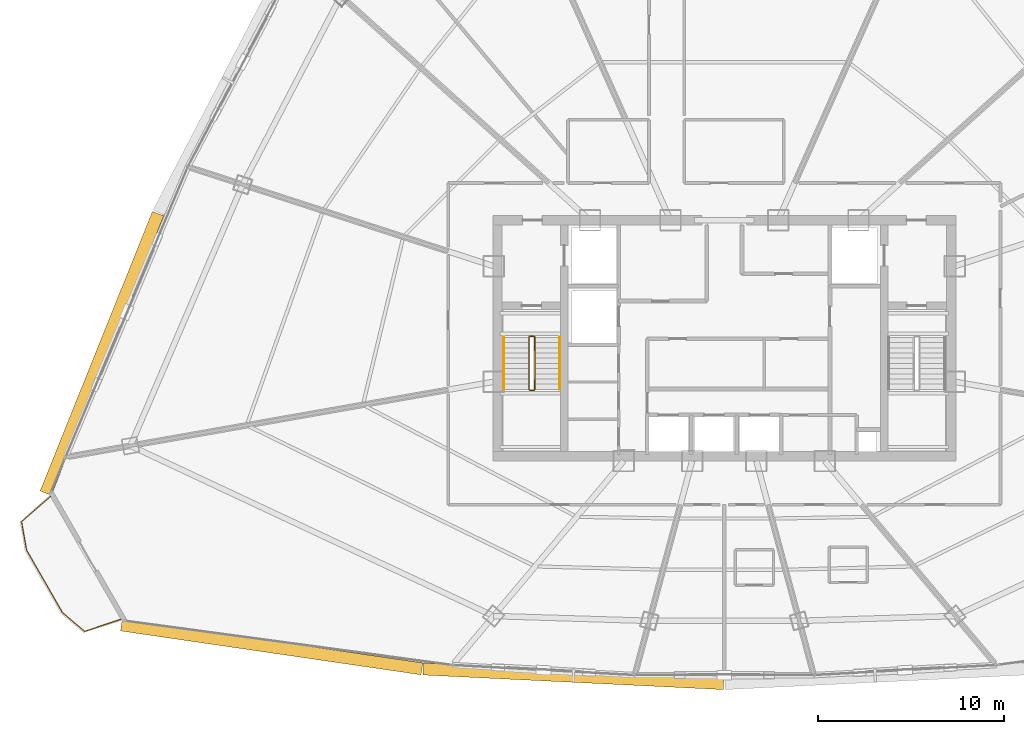
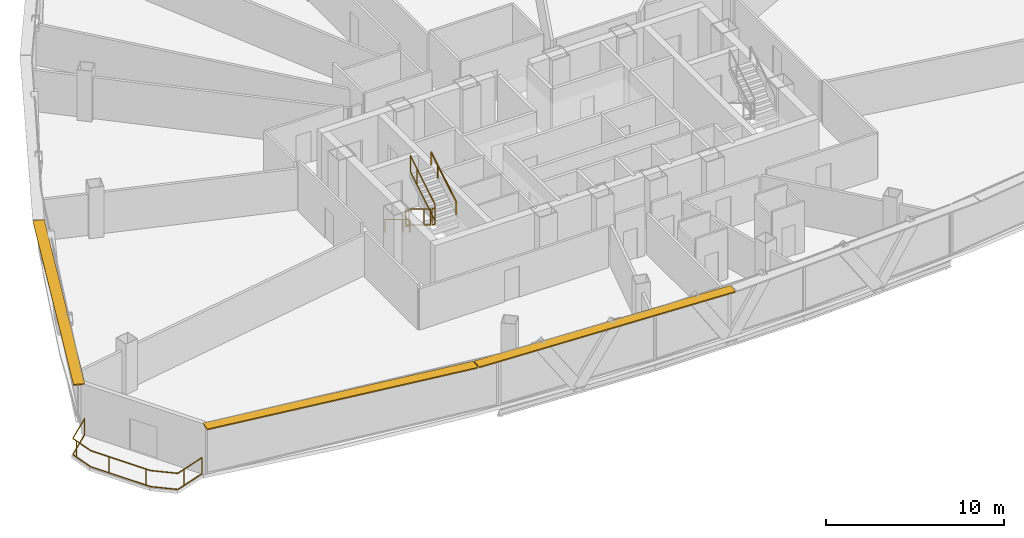
# One storey, part 31 of 34: 7 railings, 3 shading devices.
"""IFC4 building model written with IfcOpenShell, lengths in metres."""

from ifc_helpers import new_model, si_unit, direction, frame, origin, origin_2d, place, context, subcontext, project, spatial, rectangle, extrude, source, transform, mapped, material, layer, layer_set, type_object, element, save


model = new_model("IFC4")

# Units and contexts
model_context = context("Model", 3, precision=1e-05, world=origin(), true_north=direction((0.0, 1.0)))
body_context = subcontext(model_context, "Body", "Model", "MODEL_VIEW")
ifc_project = project(units=[si_unit("LENGTHUNIT", "METRE"), si_unit("AREAUNIT", "SQUARE_METRE"), si_unit("VOLUMEUNIT", "CUBIC_METRE"), si_unit("PLANEANGLEUNIT", "RADIAN"), si_unit("MASSUNIT", "GRAM", prefix="KILO"), si_unit("THERMODYNAMICTEMPERATUREUNIT", "KELVIN"), si_unit("POWERUNIT", "WATT")], contexts=[model_context])

# Site, building, storey
site_placement = place(None, origin())
site = spatial("IfcSite", under=ifc_project, at=site_placement, CompositionType="ELEMENT")
building_placement = place(site_placement, origin())
building = spatial("IfcBuilding", under=site, at=building_placement, Name="Yunzhuo Pagoda Commons", CompositionType="ELEMENT")
storey_placement = place(building_placement, frame((0.0, 0.0, 233.340087890625)))
storey = spatial("IfcBuildingStorey", under=building, at=storey_placement, Name="L58", CompositionType="ELEMENT", Elevation=233.340087890625)

# Railings
ifc_material = material(Name="Anodized aluminium 6063-T6", Category="aluminium")
railing_type_1 = type_object("IfcRailingType", Name="GR-ST1 Stair Well Guardrail 1150", PredefinedType="GUARDRAIL", material=ifc_material)
railing_1_placement = place(storey_placement, frame((37.5, 33.89990234375, 0.16943359375)))
element("IfcRailing", 1, at=railing_1_placement, inside=storey, type_object=railing_type_1, Name="L58 ST1 stair guard 1", PredefinedType="GUARDRAIL", context=body_context, shape_type="SweptSolid", body=[
    extrude(rectangle(XDim=0.048095703125, YDim=0.048095703125, at=origin_2d()), frame((0.0, 0.0, 1.1259765625), z_axis=(0.0, -0.855373106579, 0.518012401918), x_axis=(1.0, 0.0, 0.0)), (0.0, 0.0, 1.0), 3.273193359375),
    extrude(rectangle(XDim=0.048095703125, YDim=0.048095703125, at=origin_2d()), frame((0.0, 0.0, 0.02392578125), z_axis=(0.0, -0.855373106579, 0.518012401918), x_axis=(1.0, 0.0, 0.0)), (0.0, 0.0, 1.0), 3.273193359375),
    extrude(rectangle(XDim=0.0419921875, YDim=0.0419921875, at=origin_2d()), origin(), (0.0, 0.0, 1.0), 1.101806640625),
    extrude(rectangle(XDim=0.0419921875, YDim=0.0419921875, at=origin_2d()), frame((0.0, -2.052978515625, 1.2431640625)), (0.0, 0.0, 1.0), 1.101806640625),
    extrude(rectangle(XDim=0.0419921875, YDim=0.0419921875, at=origin_2d()), frame((0.0, -2.7998046875, 1.695556640625)), (0.0, 0.0, 1.0), 1.101806640625),
])
railing_2_placement = place(storey_placement, frame((37.550048828125, 31.050048828125, 1.864990234375)))
element("IfcRailing", 2, at=railing_2_placement, inside=storey, type_object=railing_type_1, Name="L58 ST1 stair guard 2", PredefinedType="GUARDRAIL", context=body_context, shape_type="SweptSolid", body=[
    extrude(rectangle(XDim=0.048095703125, YDim=0.048095703125, at=origin_2d()), frame((0.0, 0.0, 1.1259765625), z_axis=(1.0, 0.0, 0.0), x_axis=(0.0, 1.0, 0.0)), (0.0, 0.0, 1.0), 0.199951171875),
    extrude(rectangle(XDim=0.048095703125, YDim=0.048095703125, at=origin_2d()), frame((0.0, 0.0, 0.02392578125), z_axis=(1.0, 0.0, 0.0), x_axis=(0.0, 1.0, 0.0)), (0.0, 0.0, 1.0), 0.199951171875),
    extrude(rectangle(XDim=0.0419921875, YDim=0.0419921875, at=origin_2d()), origin(), (0.0, 0.0, 1.0), 1.101806640625),
    extrude(rectangle(XDim=0.0419921875, YDim=0.0419921875, at=origin_2d()), frame((0.199951171875, 0.0, 0.0)), (0.0, 0.0, 1.0), 1.101806640625),
])
railing_3_placement = place(storey_placement, frame((37.800048828125, 31.10009765625, 2.034423828125)))
element("IfcRailing", 3, at=railing_3_placement, inside=storey, type_object=railing_type_1, Name="L58 ST1 stair guard 3", PredefinedType="GUARDRAIL", context=body_context, shape_type="SweptSolid", body=[
    extrude(rectangle(XDim=0.048095703125, YDim=0.048095703125, at=origin_2d()), frame((0.0, 0.0, 1.1259765625), z_axis=(0.0, 0.855373106579, 0.518012401918), x_axis=(-1.0, 0.0, 0.0)), (0.0, 0.0, 1.0), 3.273193359375),
    extrude(rectangle(XDim=0.048095703125, YDim=0.048095703125, at=origin_2d()), frame((0.0, 0.0, 0.02392578125), z_axis=(0.0, 0.855373106579, 0.518012401918), x_axis=(-1.0, 0.0, 0.0)), (0.0, 0.0, 1.0), 3.273193359375),
    extrude(rectangle(XDim=0.0419921875, YDim=0.0419921875, at=origin_2d()), origin(), (0.0, 0.0, 1.0), 1.101806640625),
    extrude(rectangle(XDim=0.0419921875, YDim=0.0419921875, at=origin_2d()), frame((0.0, 2.052978515625, 1.2431640625)), (0.0, 0.0, 1.0), 1.101806640625),
    extrude(rectangle(XDim=0.0419921875, YDim=0.0419921875, at=origin_2d()), frame((0.0, 2.7998046875, 1.695556640625)), (0.0, 0.0, 1.0), 1.101806640625),
])
railing_4_placement = place(storey_placement, frame((37.550048828125, 33.949951171875, 0.0)))
element("IfcRailing", 4, at=railing_4_placement, inside=storey, type_object=railing_type_1, Name="L58 ST1 stair guard 4", PredefinedType="GUARDRAIL", context=body_context, shape_type="SweptSolid", body=[
    extrude(rectangle(XDim=0.048095703125, YDim=0.048095703125, at=origin_2d()), frame((0.0, 0.0, 1.1259765625), z_axis=(1.0, 0.0, 0.0), x_axis=(0.0, 1.0, 0.0)), (0.0, 0.0, 1.0), 0.199951171875),
    extrude(rectangle(XDim=0.048095703125, YDim=0.048095703125, at=origin_2d()), frame((0.0, 0.0, 0.02392578125), z_axis=(1.0, 0.0, 0.0), x_axis=(0.0, 1.0, 0.0)), (0.0, 0.0, 1.0), 0.199951171875),
    extrude(rectangle(XDim=0.0419921875, YDim=0.0419921875, at=origin_2d()), origin(), (0.0, 0.0, 1.0), 1.101806640625),
    extrude(rectangle(XDim=0.0419921875, YDim=0.0419921875, at=origin_2d()), frame((0.199951171875, 0.0, 0.0)), (0.0, 0.0, 1.0), 1.101806640625),
])
railing_type_2 = type_object("IfcRailingType", Name="HR-ST1 Stair Handrail 900", PredefinedType="HANDRAIL", material=ifc_material)
railing_5_placement = place(storey_placement, frame((36.14990234375, 33.89990234375, 0.16943359375)))
element("IfcRailing", 5, at=railing_5_placement, inside=storey, type_object=railing_type_2, Name="L58 ST1 stair handrail 1", PredefinedType="HANDRAIL", context=body_context, shape_type="SweptSolid", body=[
    extrude(rectangle(XDim=0.048095703125, YDim=0.048095703125, at=origin_2d()), frame((0.0, 0.0, 0.8759765625), z_axis=(0.0, -0.855373106579, 0.518012401918), x_axis=(1.0, 0.0, 0.0)), (0.0, 0.0, 1.0), 3.273193359375),
    extrude(rectangle(XDim=0.0419921875, YDim=0.0419921875, at=origin_2d()), origin(), (0.0, 0.0, 1.0), 0.851806640625),
    extrude(rectangle(XDim=0.0419921875, YDim=0.0419921875, at=origin_2d()), frame((0.0, -2.052978515625, 1.2431640625)), (0.0, 0.0, 1.0), 0.851806640625),
    extrude(rectangle(XDim=0.0419921875, YDim=0.0419921875, at=origin_2d()), frame((0.0, -2.7998046875, 1.695556640625)), (0.0, 0.0, 1.0), 0.851806640625),
])
railing_6_placement = place(storey_placement, frame((39.14990234375, 31.10009765625, 2.034423828125)))
element("IfcRailing", 6, at=railing_6_placement, inside=storey, type_object=railing_type_2, Name="L58 ST1 stair handrail 2", PredefinedType="HANDRAIL", context=body_context, shape_type="SweptSolid", body=[
    extrude(rectangle(XDim=0.048095703125, YDim=0.048095703125, at=origin_2d()), frame((0.0, 0.0, 0.8759765625), z_axis=(0.0, 0.855373106579, 0.518012401918), x_axis=(-1.0, 0.0, 0.0)), (0.0, 0.0, 1.0), 3.273193359375),
    extrude(rectangle(XDim=0.0419921875, YDim=0.0419921875, at=origin_2d()), origin(), (0.0, 0.0, 1.0), 0.851806640625),
    extrude(rectangle(XDim=0.0419921875, YDim=0.0419921875, at=origin_2d()), frame((0.0, 2.052978515625, 1.2431640625)), (0.0, 0.0, 1.0), 0.851806640625),
    extrude(rectangle(XDim=0.0419921875, YDim=0.0419921875, at=origin_2d()), frame((0.0, 2.7998046875, 1.695556640625)), (0.0, 0.0, 1.0), 0.851806640625),
])
railing_type_3 = type_object("IfcRailingType", Name="RL-BAL1 Exterior Terrace & Balcony Balustrade 1150", PredefinedType="BALUSTRADE", material=ifc_material)
railing_7_placement = place(storey_placement, frame((11.76171875, 25.34521484375, 0.0)))
element("IfcRailing", 7, at=railing_7_placement, inside=storey, type_object=railing_type_3, Name="L58 corner balcony balustrade V1", PredefinedType="BALUSTRADE", context=body_context, shape_type="SweptSolid", body=[
    extrude(rectangle(XDim=0.048095703125, YDim=0.048095703125, at=origin_2d()), frame((0.0, 0.0, 1.1259765625), z_axis=(-0.753984993137, -0.656891642605, 0.0), x_axis=(0.656891642605, -0.753984993137, 0.0)), (0.0, 0.0, 1.0), 2.059326171875),
    extrude(rectangle(XDim=0.048095703125, YDim=0.048095703125, at=origin_2d()), frame((0.0, 0.0, 0.02392578125), z_axis=(-0.753984993137, -0.656891642605, 0.0), x_axis=(0.656891642605, -0.753984993137, 0.0)), (0.0, 0.0, 1.0), 2.059326171875),
    extrude(rectangle(XDim=0.048095703125, YDim=0.048095703125, at=origin_2d()), frame((-1.552734375, -1.352783203125, 1.1259765625), z_axis=(0.172863553259, -0.984945781226, 0.0), x_axis=(0.984945781226, 0.172863553259, 0.0)), (0.0, 0.0, 1.0), 1.556396484375),
    extrude(rectangle(XDim=0.048095703125, YDim=0.048095703125, at=origin_2d()), frame((-1.552734375, -1.352783203125, 0.02392578125), z_axis=(0.172863553259, -0.984945781226, 0.0), x_axis=(0.984945781226, 0.172863553259, 0.0)), (0.0, 0.0, 1.0), 1.556396484375),
    extrude(rectangle(XDim=0.048095703125, YDim=0.048095703125, at=origin_2d()), frame((-1.28369140625, -2.8857421875, 1.1259765625), z_axis=(0.497903387026, -0.867232504688, 0.0), x_axis=(0.867232504688, 0.497903387026, 0.0)), (0.0, 0.0, 1.0), 3.886962890625),
    extrude(rectangle(XDim=0.048095703125, YDim=0.048095703125, at=origin_2d()), frame((-1.28369140625, -2.8857421875, 0.02392578125), z_axis=(0.497903387026, -0.867232504688, 0.0), x_axis=(0.867232504688, 0.497903387026, 0.0)), (0.0, 0.0, 1.0), 3.886962890625),
    extrude(rectangle(XDim=0.048095703125, YDim=0.048095703125, at=origin_2d()), frame((0.651611328125, -6.256591796875, 1.1259765625), z_axis=(0.763546898029, -0.645752378633, 0.0), x_axis=(0.645752378633, 0.763546898029, 0.0)), (0.0, 0.0, 1.0), 1.556640625),
    extrude(rectangle(XDim=0.048095703125, YDim=0.048095703125, at=origin_2d()), frame((0.651611328125, -6.256591796875, 0.02392578125), z_axis=(0.763546898029, -0.645752378633, 0.0), x_axis=(0.645752378633, 0.763546898029, 0.0)), (0.0, 0.0, 1.0), 1.556640625),
    extrude(rectangle(XDim=0.048095703125, YDim=0.048095703125, at=origin_2d()), frame((1.840087890625, -7.26171875, 1.1259765625), z_axis=(0.947419062147, 0.319995501031, 0.0), x_axis=(-0.319995501031, 0.947419062147, 0.0)), (0.0, 0.0, 1.0), 2.05908203125),
    extrude(rectangle(XDim=0.048095703125, YDim=0.048095703125, at=origin_2d()), frame((1.840087890625, -7.26171875, 0.02392578125), z_axis=(0.947419062147, 0.319995501031, 0.0), x_axis=(-0.319995501031, 0.947419062147, 0.0)), (0.0, 0.0, 1.0), 2.05908203125),
    extrude(rectangle(XDim=0.0419921875, YDim=0.0419921875, at=origin_2d()), origin(), (0.0, 0.0, 1.0), 1.101806640625),
    extrude(rectangle(XDim=0.0419921875, YDim=0.0419921875, at=origin_2d()), frame((-1.493896484375, -1.688232421875, 0.0)), (0.0, 0.0, 1.0), 1.101806640625),
    extrude(rectangle(XDim=0.0419921875, YDim=0.0419921875, at=origin_2d()), frame((-0.694091796875, -3.912841796875, 0.0)), (0.0, 0.0, 1.0), 1.101806640625),
    extrude(rectangle(XDim=0.0419921875, YDim=0.0419921875, at=origin_2d()), frame((0.5009765625, -5.994140625, 0.0)), (0.0, 0.0, 1.0), 1.101806640625),
    extrude(rectangle(XDim=0.0419921875, YDim=0.0419921875, at=origin_2d()), frame((2.3525390625, -7.088623046875, 0.0)), (0.0, 0.0, 1.0), 1.101806640625),
    extrude(rectangle(XDim=0.0419921875, YDim=0.0419921875, at=origin_2d()), frame((3.791015625, -6.602783203125, 0.0)), (0.0, 0.0, 1.0), 1.101806640625),
])

# Shading devices
ifc_layer = layer(ifc_material, 0.080078125)
ifc_layer_set = layer_set([ifc_layer], Name="Anodized aluminium 6063-T6")
shading_device_type = type_object("IfcShadingDeviceType", Name="SH-SUN1 Pagoda Horizontal Sunshade Eave 650", PredefinedType="USERDEFINED", material=ifc_layer_set)
shared_shape_1 = source(origin(), body_context, "Body", "SweptSolid", [
    extrude(rectangle(XDim=16.335693359375, YDim=0.64990234375, at=origin_2d()), origin(), (0.0, 0.0, 1.0), 0.080078125),
])
shading_device_1_placement = place(storey_placement, frame((23.65966796875, 17.252685546875, 3.389892578125), z_axis=(0.0, 0.0, 1.0), x_axis=(0.989510666697, -0.144459823108, 0.0)))
element("IfcShadingDevice", 8, at=shading_device_1_placement, inside=storey, type_object=shading_device_type, Name="L58 horizontal pagoda sunshade eave F1.1", ObjectType="SUNSHADE", PredefinedType="USERDEFINED", context=body_context, shape_type="MappedRepresentation", body=[
    mapped(shared_shape_1, transform((0.0, 0.0, 0.0), scale=1.0)),
])
shared_shape_2 = source(origin(), body_context, "Body", "SweptSolid", [
    extrude(rectangle(XDim=16.182861328125, YDim=0.64990234375, at=origin_2d()), origin(), (0.0, 0.0, 1.0), 0.080078125),
])
shading_device_2_placement = place(storey_placement, frame((39.886474609375, 15.673583984375, 3.389892578125), z_axis=(0.0, 0.0, 1.0), x_axis=(0.998818043775, -0.04860571396, 0.0)))
element("IfcShadingDevice", 9, at=shading_device_2_placement, inside=storey, type_object=shading_device_type, Name="L58 horizontal pagoda sunshade eave F1.2", ObjectType="SUNSHADE", PredefinedType="USERDEFINED", context=body_context, shape_type="MappedRepresentation", body=[
    mapped(shared_shape_2, transform((0.0, 0.0, 0.0), scale=1.0)),
])
shared_shape_3 = source(origin(), body_context, "Body", "SweptSolid", [
    extrude(rectangle(XDim=16.2041015625, YDim=0.64990234375, at=origin_2d()), origin(), (0.0, 0.0, 1.0), 0.080078125),
])
shading_device_3_placement = place(storey_placement, frame((14.528564453125, 33.0400390625, 3.389892578125), z_axis=(0.0, 0.0, 1.0), x_axis=(-0.372987782576, -0.927836253899, 0.0)))
element("IfcShadingDevice", 10, at=shading_device_3_placement, inside=storey, type_object=shading_device_type, Name="L58 horizontal pagoda sunshade eave F3.4", ObjectType="SUNSHADE", PredefinedType="USERDEFINED", context=body_context, shape_type="MappedRepresentation", body=[
    mapped(shared_shape_3, transform((0.0, 0.0, 0.0), scale=1.0)),
])

save(model, "model.ifc")
